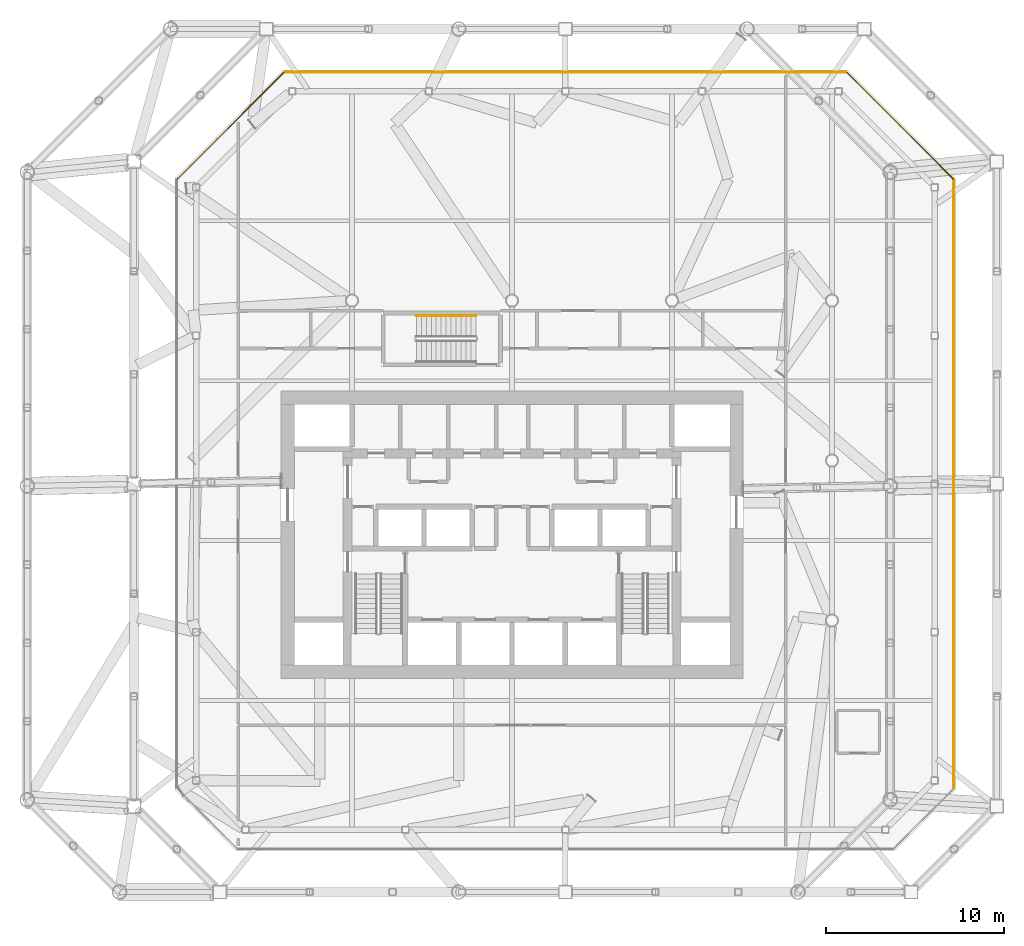
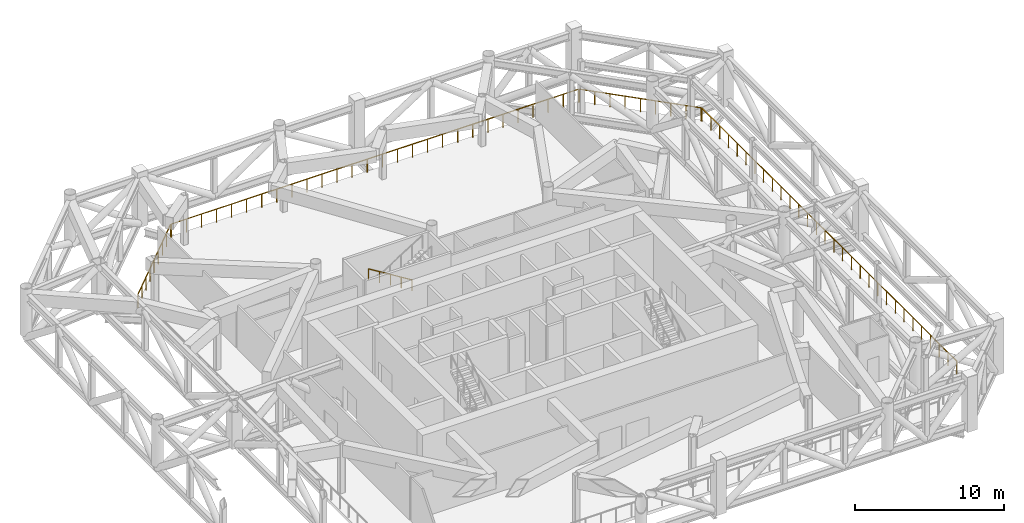
# One storey, part 21 of 21: 5 railings.
"""IFC4 building model written with IfcOpenShell, lengths in metres."""

from ifc_helpers import new_model, si_unit, direction, frame, origin, origin_2d, place, context, subcontext, project, spatial, circle, extrude, material, type_object, element, save


model = new_model("IFC4")

# Units and contexts
model_context = context("Model", 3, precision=1e-05, world=origin(), true_north=direction((0.0, 1.0)))
body_context = subcontext(model_context, "Body", "Model", "MODEL_VIEW")
ifc_project = project(units=[si_unit("LENGTHUNIT", "METRE"), si_unit("AREAUNIT", "SQUARE_METRE"), si_unit("VOLUMEUNIT", "CUBIC_METRE"), si_unit("PLANEANGLEUNIT", "RADIAN"), si_unit("MASSUNIT", "GRAM", prefix="KILO")], contexts=[model_context])

# Site, building, storey
site_placement = place(None, origin())
site = spatial("IfcSite", under=ifc_project, at=site_placement, CompositionType="ELEMENT")
building_placement = place(site_placement, origin())
building = spatial("IfcBuilding", under=site, at=building_placement, Name="Tskaro Facet Tower", CompositionType="ELEMENT")
storey_placement = place(building_placement, frame((0.0, 0.0, 167.699951171875)))
storey = spatial("IfcBuildingStorey", under=building, at=storey_placement, Name="L41", CompositionType="ELEMENT", Elevation=167.699951171875)

# Railings
ifc_material_1 = material(Name="Bronze anodised aluminium 6063-T6", Category="aluminium")
railing_type_1 = type_object("IfcRailingType", Name="Bronze guard rail (GD1)", PredefinedType="GUARDRAIL", material=ifc_material_1)
railing_1_placement = place(storey_placement, frame((24.85400390625, -18.40087890625, 0.0)))
element("IfcRailing", 1, at=railing_1_placement, inside=storey, type_object=railing_type_1, Name="Guard L41", PredefinedType="GUARDRAIL", context=body_context, shape_type="SweptSolid", body=[
    extrude(circle(Radius=0.02490234375, at=origin_2d()), frame((0.0, 0.0, 1.0751953125), z_axis=(0.0, 1.0, 0.0), x_axis=(-1.0, 0.0, 0.0)), (0.0, 0.0, 1.0), 34.1708984375),
    extrude(circle(Radius=0.02001953125, at=origin_2d()), origin(), (0.0, 0.0, 1.0), 1.050048828125),
    extrude(circle(Radius=0.02001953125, at=origin_2d()), frame((0.0, 1.17822265625, 0.0)), (0.0, 0.0, 1.0), 1.050048828125),
    extrude(circle(Radius=0.02001953125, at=origin_2d()), frame((0.0, 2.356689453125, 0.0)), (0.0, 0.0, 1.0), 1.050048828125),
    extrude(circle(Radius=0.02001953125, at=origin_2d()), frame((0.0, 3.534912109375, 0.0)), (0.0, 0.0, 1.0), 1.050048828125),
    extrude(circle(Radius=0.02001953125, at=origin_2d()), frame((0.0, 4.713134765625, 0.0)), (0.0, 0.0, 1.0), 1.050048828125),
    extrude(circle(Radius=0.02001953125, at=origin_2d()), frame((0.0, 5.8916015625, 0.0)), (0.0, 0.0, 1.0), 1.050048828125),
    extrude(circle(Radius=0.02001953125, at=origin_2d()), frame((0.0, 7.06982421875, 0.0)), (0.0, 0.0, 1.0), 1.050048828125),
    extrude(circle(Radius=0.02001953125, at=origin_2d()), frame((0.0, 8.248046875, 0.0)), (0.0, 0.0, 1.0), 1.050048828125),
    extrude(circle(Radius=0.02001953125, at=origin_2d()), frame((0.0, 9.426513671875, 0.0)), (0.0, 0.0, 1.0), 1.050048828125),
    extrude(circle(Radius=0.02001953125, at=origin_2d()), frame((0.0, 10.604736328125, 0.0)), (0.0, 0.0, 1.0), 1.050048828125),
    extrude(circle(Radius=0.02001953125, at=origin_2d()), frame((0.0, 11.782958984375, 0.0)), (0.0, 0.0, 1.0), 1.050048828125),
    extrude(circle(Radius=0.02001953125, at=origin_2d()), frame((0.0, 12.96142578125, 0.0)), (0.0, 0.0, 1.0), 1.050048828125),
    extrude(circle(Radius=0.02001953125, at=origin_2d()), frame((0.0, 14.1396484375, 0.0)), (0.0, 0.0, 1.0), 1.050048828125),
    extrude(circle(Radius=0.02001953125, at=origin_2d()), frame((0.0, 15.31787109375, 0.0)), (0.0, 0.0, 1.0), 1.050048828125),
    extrude(circle(Radius=0.02001953125, at=origin_2d()), frame((0.0, 16.496337890625, 0.0)), (0.0, 0.0, 1.0), 1.050048828125),
    extrude(circle(Radius=0.02001953125, at=origin_2d()), frame((0.0, 17.674560546875, 0.0)), (0.0, 0.0, 1.0), 1.050048828125),
    extrude(circle(Radius=0.02001953125, at=origin_2d()), frame((0.0, 18.85302734375, 0.0)), (0.0, 0.0, 1.0), 1.050048828125),
    extrude(circle(Radius=0.02001953125, at=origin_2d()), frame((0.0, 20.03125, 0.0)), (0.0, 0.0, 1.0), 1.050048828125),
    extrude(circle(Radius=0.02001953125, at=origin_2d()), frame((0.0, 21.20947265625, 0.0)), (0.0, 0.0, 1.0), 1.050048828125),
    extrude(circle(Radius=0.02001953125, at=origin_2d()), frame((0.0, 22.387939453125, 0.0)), (0.0, 0.0, 1.0), 1.050048828125),
    extrude(circle(Radius=0.02001953125, at=origin_2d()), frame((0.0, 23.566162109375, 0.0)), (0.0, 0.0, 1.0), 1.050048828125),
    extrude(circle(Radius=0.02001953125, at=origin_2d()), frame((0.0, 24.744384765625, 0.0)), (0.0, 0.0, 1.0), 1.050048828125),
    extrude(circle(Radius=0.02001953125, at=origin_2d()), frame((0.0, 25.9228515625, 0.0)), (0.0, 0.0, 1.0), 1.050048828125),
    extrude(circle(Radius=0.02001953125, at=origin_2d()), frame((0.0, 27.10107421875, 0.0)), (0.0, 0.0, 1.0), 1.050048828125),
    extrude(circle(Radius=0.02001953125, at=origin_2d()), frame((0.0, 28.279296875, 0.0)), (0.0, 0.0, 1.0), 1.050048828125),
    extrude(circle(Radius=0.02001953125, at=origin_2d()), frame((0.0, 29.457763671875, 0.0)), (0.0, 0.0, 1.0), 1.050048828125),
    extrude(circle(Radius=0.02001953125, at=origin_2d()), frame((0.0, 30.635986328125, 0.0)), (0.0, 0.0, 1.0), 1.050048828125),
    extrude(circle(Radius=0.02001953125, at=origin_2d()), frame((0.0, 31.814208984375, 0.0)), (0.0, 0.0, 1.0), 1.050048828125),
    extrude(circle(Radius=0.02001953125, at=origin_2d()), frame((0.0, 32.99267578125, 0.0)), (0.0, 0.0, 1.0), 1.050048828125),
    extrude(circle(Radius=0.02001953125, at=origin_2d()), frame((0.0, 34.1708984375, 0.0)), (0.0, 0.0, 1.0), 1.050048828125),
])
railing_2_placement = place(storey_placement, frame((24.822265625, 15.846923828125, 0.0)))
element("IfcRailing", 2, at=railing_2_placement, inside=storey, type_object=railing_type_1, Name="Guard L41", PredefinedType="GUARDRAIL", context=body_context, shape_type="SweptSolid", body=[
    extrude(circle(Radius=0.02490234375, at=origin_2d()), frame((0.0, 0.0, 1.0751953125), z_axis=(-0.707106781187, 0.707106781187, 0.0), x_axis=(-0.707106781187, -0.707106781187, 0.0)), (0.0, 0.0, 1.0), 8.450439453125),
    extrude(circle(Radius=0.02001953125, at=origin_2d()), origin(), (0.0, 0.0, 1.0), 1.050048828125),
    extrude(circle(Radius=0.02001953125, at=origin_2d()), frame((-0.746826171875, 0.746826171875, 0.0)), (0.0, 0.0, 1.0), 1.050048828125),
    extrude(circle(Radius=0.02001953125, at=origin_2d()), frame((-1.493896484375, 1.493896484375, 0.0)), (0.0, 0.0, 1.0), 1.050048828125),
    extrude(circle(Radius=0.02001953125, at=origin_2d()), frame((-2.24072265625, 2.24072265625, 0.0)), (0.0, 0.0, 1.0), 1.050048828125),
    extrude(circle(Radius=0.02001953125, at=origin_2d()), frame((-2.98779296875, 2.98779296875, 0.0)), (0.0, 0.0, 1.0), 1.050048828125),
    extrude(circle(Radius=0.02001953125, at=origin_2d()), frame((-3.734619140625, 3.734619140625, 0.0)), (0.0, 0.0, 1.0), 1.050048828125),
    extrude(circle(Radius=0.02001953125, at=origin_2d()), frame((-4.4814453125, 4.4814453125, 0.0)), (0.0, 0.0, 1.0), 1.050048828125),
    extrude(circle(Radius=0.02001953125, at=origin_2d()), frame((-5.228515625, 5.228515625, 0.0)), (0.0, 0.0, 1.0), 1.050048828125),
    extrude(circle(Radius=0.02001953125, at=origin_2d()), frame((-5.975341796875, 5.975341796875, 0.0)), (0.0, 0.0, 1.0), 1.050048828125),
])
railing_3_placement = place(storey_placement, frame((18.77001953125, 21.85400390625, 0.0)))
element("IfcRailing", 3, at=railing_3_placement, inside=storey, type_object=railing_type_1, Name="Guard L41", PredefinedType="GUARDRAIL", context=body_context, shape_type="SweptSolid", body=[
    extrude(circle(Radius=0.02490234375, at=origin_2d()), frame((0.0, 0.0, 1.0751953125), z_axis=(-1.0, 0.0, 0.0), x_axis=(0.0, -1.0, 0.0)), (0.0, 0.0, 1.0), 31.5400390625),
    extrude(circle(Radius=0.02001953125, at=origin_2d()), origin(), (0.0, 0.0, 1.0), 1.050048828125),
    extrude(circle(Radius=0.02001953125, at=origin_2d()), frame((-1.168212890625, 0.0, 0.0)), (0.0, 0.0, 1.0), 1.050048828125),
    extrude(circle(Radius=0.02001953125, at=origin_2d()), frame((-2.336181640625, 0.0, 0.0)), (0.0, 0.0, 1.0), 1.050048828125),
    extrude(circle(Radius=0.02001953125, at=origin_2d()), frame((-3.50439453125, 0.0, 0.0)), (0.0, 0.0, 1.0), 1.050048828125),
    extrude(circle(Radius=0.02001953125, at=origin_2d()), frame((-4.672607421875, 0.0, 0.0)), (0.0, 0.0, 1.0), 1.050048828125),
    extrude(circle(Radius=0.02001953125, at=origin_2d()), frame((-5.8408203125, 0.0, 0.0)), (0.0, 0.0, 1.0), 1.050048828125),
    extrude(circle(Radius=0.02001953125, at=origin_2d()), frame((-7.0087890625, 0.0, 0.0)), (0.0, 0.0, 1.0), 1.050048828125),
    extrude(circle(Radius=0.02001953125, at=origin_2d()), frame((-8.177001953125, 0.0, 0.0)), (0.0, 0.0, 1.0), 1.050048828125),
    extrude(circle(Radius=0.02001953125, at=origin_2d()), frame((-9.34521484375, 0.0, 0.0)), (0.0, 0.0, 1.0), 1.050048828125),
    extrude(circle(Radius=0.02001953125, at=origin_2d()), frame((-10.513427734375, 0.0, 0.0)), (0.0, 0.0, 1.0), 1.050048828125),
    extrude(circle(Radius=0.02001953125, at=origin_2d()), frame((-11.681396484375, 0.0, 0.0)), (0.0, 0.0, 1.0), 1.050048828125),
    extrude(circle(Radius=0.02001953125, at=origin_2d()), frame((-12.849609375, 0.0, 0.0)), (0.0, 0.0, 1.0), 1.050048828125),
    extrude(circle(Radius=0.02001953125, at=origin_2d()), frame((-14.017822265625, 0.0, 0.0)), (0.0, 0.0, 1.0), 1.050048828125),
    extrude(circle(Radius=0.02001953125, at=origin_2d()), frame((-15.18603515625, 0.0, 0.0)), (0.0, 0.0, 1.0), 1.050048828125),
    extrude(circle(Radius=0.02001953125, at=origin_2d()), frame((-16.35400390625, 0.0, 0.0)), (0.0, 0.0, 1.0), 1.050048828125),
    extrude(circle(Radius=0.02001953125, at=origin_2d()), frame((-17.522216796875, 0.0, 0.0)), (0.0, 0.0, 1.0), 1.050048828125),
    extrude(circle(Radius=0.02001953125, at=origin_2d()), frame((-18.6904296875, 0.0, 0.0)), (0.0, 0.0, 1.0), 1.050048828125),
    extrude(circle(Radius=0.02001953125, at=origin_2d()), frame((-19.858642578125, 0.0, 0.0)), (0.0, 0.0, 1.0), 1.050048828125),
    extrude(circle(Radius=0.02001953125, at=origin_2d()), frame((-21.026611328125, 0.0, 0.0)), (0.0, 0.0, 1.0), 1.050048828125),
    extrude(circle(Radius=0.02001953125, at=origin_2d()), frame((-22.19482421875, 0.0, 0.0)), (0.0, 0.0, 1.0), 1.050048828125),
    extrude(circle(Radius=0.02001953125, at=origin_2d()), frame((-23.363037109375, 0.0, 0.0)), (0.0, 0.0, 1.0), 1.050048828125),
    extrude(circle(Radius=0.02001953125, at=origin_2d()), frame((-24.53125, 0.0, 0.0)), (0.0, 0.0, 1.0), 1.050048828125),
    extrude(circle(Radius=0.02001953125, at=origin_2d()), frame((-25.69921875, 0.0, 0.0)), (0.0, 0.0, 1.0), 1.050048828125),
    extrude(circle(Radius=0.02001953125, at=origin_2d()), frame((-26.867431640625, 0.0, 0.0)), (0.0, 0.0, 1.0), 1.050048828125),
    extrude(circle(Radius=0.02001953125, at=origin_2d()), frame((-28.03564453125, 0.0, 0.0)), (0.0, 0.0, 1.0), 1.050048828125),
    extrude(circle(Radius=0.02001953125, at=origin_2d()), frame((-29.203857421875, 0.0, 0.0)), (0.0, 0.0, 1.0), 1.050048828125),
    extrude(circle(Radius=0.02001953125, at=origin_2d()), frame((-30.371826171875, 0.0, 0.0)), (0.0, 0.0, 1.0), 1.050048828125),
    extrude(circle(Radius=0.02001953125, at=origin_2d()), frame((-31.5400390625, 0.0, 0.0)), (0.0, 0.0, 1.0), 1.050048828125),
])
railing_4_placement = place(storey_placement, frame((-12.846923828125, 21.822265625, 0.0)))
element("IfcRailing", 4, at=railing_4_placement, inside=storey, type_object=railing_type_1, Name="Guard L41", PredefinedType="GUARDRAIL", context=body_context, shape_type="SweptSolid", body=[
    extrude(circle(Radius=0.02490234375, at=origin_2d()), frame((0.0, 0.0, 1.0751953125), z_axis=(-0.707106781187, -0.707106781187, 0.0), x_axis=(0.707106781187, -0.707106781187, 0.0)), (0.0, 0.0, 1.0), 8.450439453125),
    extrude(circle(Radius=0.02001953125, at=origin_2d()), origin(), (0.0, 0.0, 1.0), 1.050048828125),
    extrude(circle(Radius=0.02001953125, at=origin_2d()), frame((-0.746826171875, -0.746826171875, 0.0)), (0.0, 0.0, 1.0), 1.050048828125),
    extrude(circle(Radius=0.02001953125, at=origin_2d()), frame((-1.493896484375, -1.493896484375, 0.0)), (0.0, 0.0, 1.0), 1.050048828125),
    extrude(circle(Radius=0.02001953125, at=origin_2d()), frame((-2.24072265625, -2.24072265625, 0.0)), (0.0, 0.0, 1.0), 1.050048828125),
    extrude(circle(Radius=0.02001953125, at=origin_2d()), frame((-2.98779296875, -2.98779296875, 0.0)), (0.0, 0.0, 1.0), 1.050048828125),
    extrude(circle(Radius=0.02001953125, at=origin_2d()), frame((-3.734619140625, -3.734619140625, 0.0)), (0.0, 0.0, 1.0), 1.050048828125),
    extrude(circle(Radius=0.02001953125, at=origin_2d()), frame((-4.4814453125, -4.4814453125, 0.0)), (0.0, 0.0, 1.0), 1.050048828125),
    extrude(circle(Radius=0.02001953125, at=origin_2d()), frame((-5.228515625, -5.228515625, 0.0)), (0.0, 0.0, 1.0), 1.050048828125),
    extrude(circle(Radius=0.02001953125, at=origin_2d()), frame((-5.975341796875, -5.975341796875, 0.0)), (0.0, 0.0, 1.0), 1.050048828125),
])
ifc_material_2 = material(Name="Stainless steel", Category="steel")
railing_type_2 = type_object("IfcRailingType", Name="RL-HANDRAIL-900", PredefinedType="HANDRAIL", material=ifc_material_2)
railing_5_placement = place(storey_placement, frame((-2.02490234375, 8.14990234375, 0.173095703125)))
element("IfcRailing", 5, at=railing_5_placement, inside=storey, type_object=railing_type_2, Name="L41 ST-3 stair handrail 1", PredefinedType="HANDRAIL", context=body_context, shape_type="SweptSolid", body=[
    extrude(circle(Radius=0.02392578125, at=origin_2d()), frame((0.0, 0.0, 0.8759765625), z_axis=(-0.850623216509, 0.0, 0.525775754039), x_axis=(0.0, -1.0, 0.0)), (0.0, 0.0, 1.0), 3.9501953125),
    extrude(circle(Radius=0.02099609375, at=origin_2d()), origin(), (0.0, 0.0, 1.0), 0.851806640625),
    extrude(circle(Radius=0.02099609375, at=origin_2d()), frame((-0.840087890625, 0.0, 0.519287109375)), (0.0, 0.0, 1.0), 0.851806640625),
    extrude(circle(Radius=0.02099609375, at=origin_2d()), frame((-1.68017578125, 0.0, 1.03857421875)), (0.0, 0.0, 1.0), 0.851806640625),
    extrude(circle(Radius=0.02099609375, at=origin_2d()), frame((-2.52001953125, 0.0, 1.5576171875)), (0.0, 0.0, 1.0), 0.851806640625),
    extrude(circle(Radius=0.02099609375, at=origin_2d()), frame((-3.360107421875, 0.0, 2.076904296875)), (0.0, 0.0, 1.0), 0.851806640625),
])

save(model, "model.ifc")
